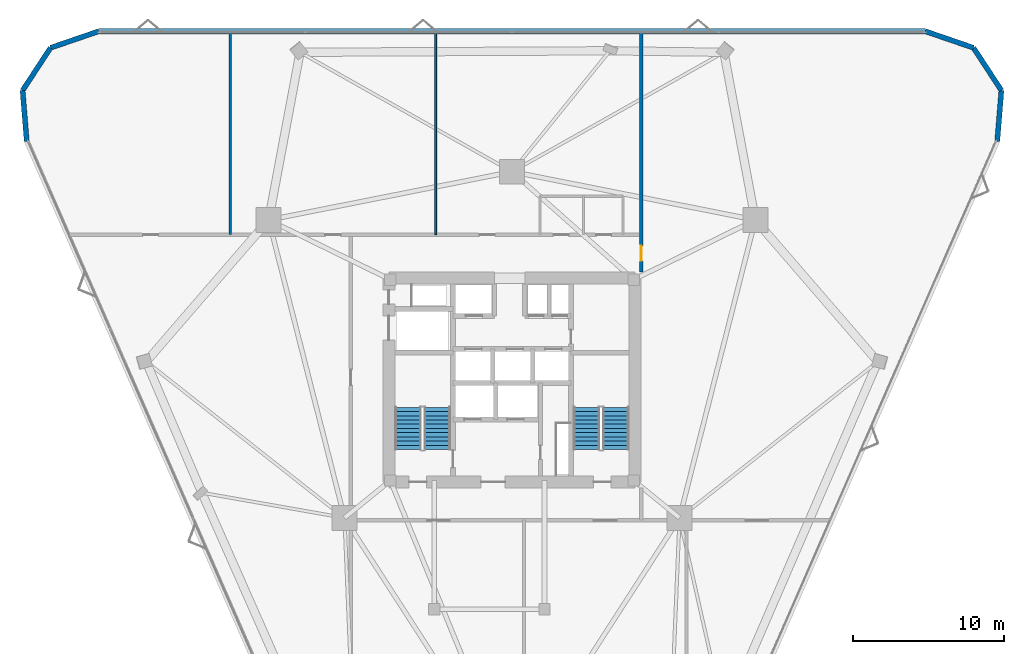
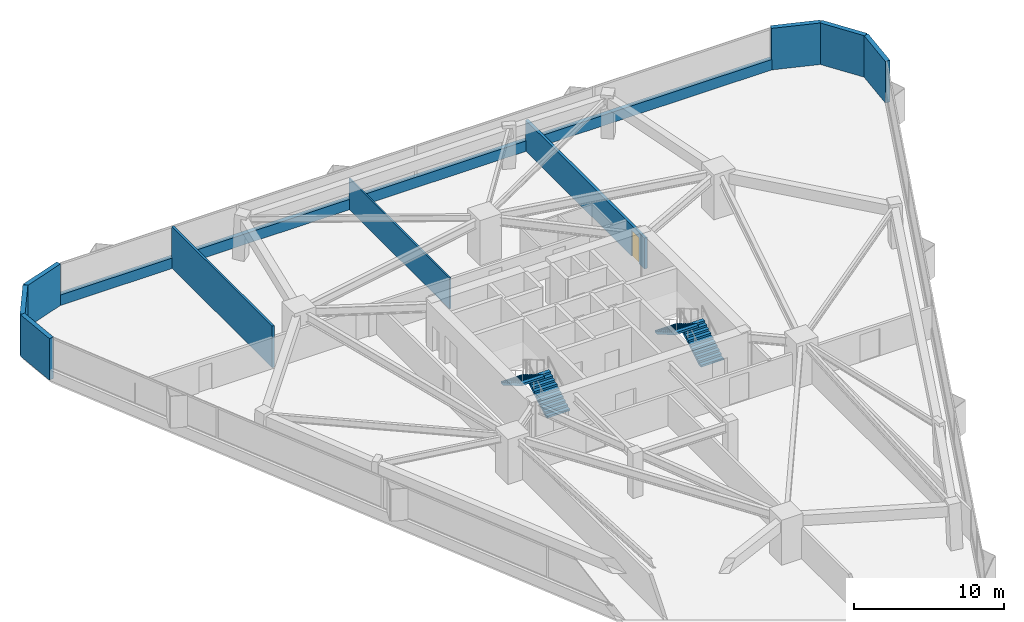
# One storey, part 19 of 20: 10 walls, 4 stair flights, 1 door, 1 opening, 2 elements without a shape of their own.
"""IFC4 building model written with IfcOpenShell, lengths in metres."""

from ifc_helpers import new_model, si_unit, direction, frame, frame_2d, origin, place, context, subcontext, project, spatial, polyline, rectangle, outline, extrude, material, layer, layer_set, type_object, element, fill, aggregate, save


model = new_model("IFC4")

# Units and contexts
model_context = context("Model", 3, precision=1e-05, world=origin(), true_north=direction((0.0, 1.0)))
body_context = subcontext(model_context, "Body", "Model", "MODEL_VIEW")
ifc_project = project(units=[si_unit("LENGTHUNIT", "METRE"), si_unit("AREAUNIT", "SQUARE_METRE"), si_unit("VOLUMEUNIT", "CUBIC_METRE"), si_unit("PLANEANGLEUNIT", "RADIAN"), si_unit("MASSUNIT", "GRAM", prefix="KILO")], contexts=[model_context])

# Site, building, storey
site_placement = place(None, origin())
site = spatial("IfcSite", under=ifc_project, at=site_placement, CompositionType="ELEMENT")
building_placement = place(site_placement, origin())
building = spatial("IfcBuilding", under=site, at=building_placement, Name="Talyreon Biosciences Tower", CompositionType="ELEMENT")
storey_placement = place(building_placement, frame((0.0, 0.0, 75.0)))
storey = spatial("IfcBuildingStorey", under=building, at=storey_placement, Name="L19", CompositionType="ELEMENT", Elevation=75.0)

# Wall, opening, door
ifc_material_1 = material(Name="Gypsum fireboard acoustic stud", Category="gypsum")
ifc_layer_1 = layer(ifc_material_1, 0.219970703125)
ifc_layer_set_1 = layer_set([ifc_layer_1], Name="Gypsum fireboard acoustic stud")
wall_type_1 = type_object("IfcWallType", Name="CorridorRatedPartition_220", PredefinedType="PARTITIONING", material=ifc_layer_set_1)
wall_1_placement = place(storey_placement, frame((74.550048828125, 75.14990234375, 0.0), z_axis=(0.0, 0.0, 1.0), x_axis=(0.0, 1.0, 0.0)))
wall_1 = element("IfcWall", 1, at=wall_1_placement, inside=storey, type_object=wall_type_1, Name="L19 Interior Wall IW-L19-ECAP-N", PredefinedType="PARTITIONING", context=body_context, shape_type="SweptSolid", body=[
    extrude(rectangle(XDim=15.852294921875, YDim=0.219970703125, at=frame_2d((7.92626953125, 0.0))), origin(), (0.0, 0.0, 1.0), 2.5048828125),
])
opening_placement = place(wall_1_placement, frame((0.735107421875, 0.0, 0.0)))
opening = element("IfcOpeningElement", 2, at=opening_placement, cuts=wall_1, Name="Opening DR-L19-E1A", PredefinedType="OPENING", context=body_context, shape_type="SweptSolid", body=[
    extrude(rectangle(XDim=1.0, YDim=2.10009765625, at=frame_2d((0.5, 1.050048828125))), frame((0.0, 0.119873046875, 0.0), z_axis=(0.0, -1.0, 0.0), x_axis=(1.0, 0.0, 0.0)), (0.0, 0.0, 1.0), 0.239990234375),
])
ifc_material_2 = material(Name="Acoustic oak veneer office door", Category="wood")
door_type = type_object("IfcDoorType", Name="WriteupOfficeDoor_1000x2100", OperationType="NOTDEFINED", PredefinedType="DOOR", material=ifc_material_2)
door_placement = place(opening_placement, origin())
door = element("IfcDoor", 3, at=door_placement, inside=storey, type_object=door_type, Name="L19 Interior Door DR-L19-E1A", OperationType="SINGLE_SWING_RIGHT", OverallHeight=2.10009765625, OverallWidth=1.0, PredefinedType="DOOR", context=body_context, shape_type="SweptSolid", body=[
    extrude(rectangle(XDim=1.0, YDim=2.10009765625, at=frame_2d((0.5, 1.050048828125))), frame((0.0, 0.02490234375, 0.0), z_axis=(0.0, -1.0, 0.0), x_axis=(1.0, 0.0, 0.0)), (0.0, 0.0, 1.0), 0.050048828125),
])
fill(opening, door)

# Walls
ifc_material_3 = material(Name="Gypsum acoustic stud partition", Category="gypsum")
ifc_layer_2 = layer(ifc_material_3, 0.159912109375)
ifc_layer_set_2 = layer_set([ifc_layer_2], Name="Gypsum acoustic stud partition")
wall_type_2 = type_object("IfcWallType", Name="LabSeparationPartition_160", PredefinedType="PARTITIONING", material=ifc_layer_set_2)
wall_2_placement = place(storey_placement, frame((47.35205078125, 77.6201171875, 0.0), z_axis=(0.0, 0.0, 1.0), x_axis=(0.0, 1.0, 0.0)))
element("IfcWall", 4, at=wall_2_placement, inside=storey, type_object=wall_type_2, Name="L19 Interior Wall IW-L19-NDIV1", PredefinedType="PARTITIONING", context=body_context, shape_type="SweptSolid", body=[
    extrude(rectangle(XDim=13.382080078125, YDim=0.159912109375, at=frame_2d((6.69091796875, 0.0))), origin(), (0.0, 0.0, 1.0), 3.375),
])
ifc_layer_3 = layer(ifc_material_3, 0.1298828125)
ifc_layer_set_3 = layer_set([ifc_layer_3], Name="Gypsum acoustic stud partition")
wall_type_3 = type_object("IfcWallType", Name="OfficeWriteupPartition_130", PredefinedType="PARTITIONING", material=ifc_layer_set_3)
wall_3_placement = place(storey_placement, frame((60.950927734375, 77.6201171875, 0.0), z_axis=(0.0, 0.0, 1.0), x_axis=(0.0, 1.0, 0.0)))
element("IfcWall", 5, at=wall_3_placement, inside=storey, type_object=wall_type_3, Name="L19 Interior Wall IW-L19-NDIV2", PredefinedType="PARTITIONING", context=body_context, shape_type="SweptSolid", body=[
    extrude(rectangle(XDim=13.382080078125, YDim=0.1298828125, at=frame_2d((6.69091796875, 0.0))), origin(), (0.0, 0.0, 1.0), 2.5048828125),
])
ifc_material_4 = material(Name="Precast concrete C45/55", Category="concrete")
ifc_layer_4 = layer(ifc_material_4, 0.340087890625)
ifc_layer_set_4 = layer_set([ifc_layer_4], Name="Precast concrete C45/55")
wall_type_4 = type_object("IfcWallType", Name="PrecastConcreteSpandrelWall_340", PredefinedType="STANDARD", material=ifc_layer_set_4)
wall_4_placement = place(storey_placement, frame((33.885986328125, 83.802734375, 0.0), z_axis=(0.0, 0.0, 1.0), x_axis=(-0.081806311552, 0.99664824657, 0.0)))
element("IfcWall", 6, at=wall_4_placement, inside=storey, type_object=wall_type_4, Name="L19 Rounded-Corner Concrete Pier 01", PredefinedType="STANDARD", context=body_context, shape_type="SweptSolid", body=[
    extrude(rectangle(XDim=3.375244140625, YDim=0.340087890625, at=frame_2d((1.6875, 0.0))), origin(), (0.0, 0.0, 1.0), 3.375),
])
wall_5_placement = place(storey_placement, frame((33.60986328125, 87.166748046875, 0.0), z_axis=(0.0, 0.0, 1.0), x_axis=(0.54736822803, 0.83689188247, 0.0)))
element("IfcWall", 7, at=wall_5_placement, inside=storey, type_object=wall_type_4, Name="L19 Rounded-Corner Concrete Pier 02", PredefinedType="STANDARD", context=body_context, shape_type="SweptSolid", body=[
    extrude(rectangle(XDim=3.37548828125, YDim=0.340087890625, at=frame_2d((1.687744140625, 0.0))), origin(), (0.0, 0.0, 1.0), 3.375),
])
wall_6_placement = place(storey_placement, frame((35.45751953125, 89.99169921875, 0.0), z_axis=(0.0, 0.0, 1.0), x_axis=(0.945861583966, 0.324570275868, 0.0)))
element("IfcWall", 8, at=wall_6_placement, inside=storey, type_object=wall_type_4, Name="L19 Rounded-Corner Concrete Pier 03", PredefinedType="STANDARD", context=body_context, shape_type="SweptSolid", body=[
    extrude(rectangle(XDim=3.375, YDim=0.340087890625, at=frame_2d((1.6875, 0.0))), origin(), (0.0, 0.0, 1.0), 3.375),
])
wall_7_placement = place(storey_placement, frame((38.64990234375, 91.087158203125, 0.0), z_axis=(0.0, 0.0, 1.0), x_axis=(1.0, 0.0, 0.0)))
element("IfcWall", 9, at=wall_7_placement, inside=storey, type_object=wall_type_4, Name="L19 Expressed Concrete Sill Wall 04", PredefinedType="STANDARD", context=body_context, shape_type="SweptSolid", body=[
    extrude(rectangle(XDim=54.7001953125, YDim=0.340087890625, at=frame_2d((27.35009765625, 0.0))), origin(), (0.0, 0.0, 1.0), 0.85009765625),
])
wall_8_placement = place(storey_placement, frame((93.35009765625, 91.087158203125, 0.0), z_axis=(0.0, 0.0, 1.0), x_axis=(0.945861583966, -0.324570275868, 0.0)))
element("IfcWall", 10, at=wall_8_placement, inside=storey, type_object=wall_type_4, Name="L19 Rounded-Corner Concrete Pier 05", PredefinedType="STANDARD", context=body_context, shape_type="SweptSolid", body=[
    extrude(rectangle(XDim=3.375, YDim=0.340087890625, at=frame_2d((1.6875, 0.0))), origin(), (0.0, 0.0, 1.0), 3.375),
])
wall_9_placement = place(storey_placement, frame((96.54248046875, 89.99169921875, 0.0), z_axis=(0.0, 0.0, 1.0), x_axis=(0.54736822803, -0.83689188247, 0.0)))
element("IfcWall", 11, at=wall_9_placement, inside=storey, type_object=wall_type_4, Name="L19 Rounded-Corner Concrete Pier 06", PredefinedType="STANDARD", context=body_context, shape_type="SweptSolid", body=[
    extrude(rectangle(XDim=3.37548828125, YDim=0.340087890625, at=frame_2d((1.687744140625, 0.0))), origin(), (0.0, 0.0, 1.0), 3.375),
])
wall_10_placement = place(storey_placement, frame((98.39013671875, 87.166748046875, 0.0), z_axis=(0.0, 0.0, 1.0), x_axis=(-0.081806311552, -0.99664824657, 0.0)))
element("IfcWall", 12, at=wall_10_placement, inside=storey, type_object=wall_type_4, Name="L19 Rounded-Corner Concrete Pier 07", PredefinedType="STANDARD", context=body_context, shape_type="SweptSolid", body=[
    extrude(rectangle(XDim=3.375244140625, YDim=0.340087890625, at=frame_2d((1.6875, 0.0))), origin(), (0.0, 0.0, 1.0), 3.375),
])

# Stair, stair flights
ifc_material_5 = material(Name="Concrete C40/50", Category="concrete")
stair_type = type_object("IfcStairType", Name="DoglegEscapeStair_3650", PredefinedType="HALF_TURN_STAIR", material=ifc_material_5)
stair_1_placement = place(storey_placement, origin())
stair_1 = element("IfcStair", 13, at=stair_1_placement, inside=storey, type_object=stair_type, Name="L19 Core Escape Stair 1", PredefinedType="HALF_TURN_STAIR")
stair_flight_type = type_object("IfcStairFlightType", Name="PrecastStairFlight_3650", PredefinedType="STRAIGHT", material=ifc_material_5)
stair_flight_1_placement = place(storey_placement, frame((61.06005859375, 63.39990234375, 0.0), z_axis=(0.0, 0.0, 1.0), x_axis=(0.0, 1.0, 0.0)))
stair_flight_1 = element("IfcStairFlight", 14, at=stair_flight_1_placement, type_object=stair_flight_type, Name="ST-1 flight 1", NumberOfRisers=11, NumberOfTreads=10, PredefinedType="STRAIGHT", RiserHeight=0.165909091, TreadLength=0.28, context=body_context, shape_type="SweptSolid", body=[
    extrude(outline(polyline([(0.0, 0.0), (0.0, 0.166015625), (0.280029296875, 0.166015625), (0.280029296875, 0.331787109375), (0.56005859375, 0.331787109375), (0.56005859375, 0.497802734375), (0.840087890625, 0.497802734375), (0.840087890625, 0.66357421875), (1.1201171875, 0.66357421875), (1.1201171875, 0.82958984375), (1.39990234375, 0.82958984375), (1.39990234375, 0.995361328125), (1.679931640625, 0.995361328125), (1.679931640625, 1.161376953125), (1.9599609375, 1.161376953125), (1.9599609375, 1.327392578125), (2.239990234375, 1.327392578125), (2.239990234375, 1.4931640625), (2.52001953125, 1.4931640625), (2.52001953125, 1.6591796875), (2.800048828125, 1.6591796875), (2.800048828125, 1.824951171875), (2.800048828125, 1.48486328125), (0.2939453125, 0.0), (0.0, 0.0)])), frame((0.0, 0.8701171875, 0.0), z_axis=(0.0, -1.0, 0.0), x_axis=(1.0, 0.0, 0.0)), (0.0, 0.0, 1.0), 1.739990234375),
])
stair_flight_2_placement = place(storey_placement, frame((59.1201171875, 66.199951171875, 1.824951171875), z_axis=(0.0, 0.0, 1.0), x_axis=(0.0, -1.0, 0.0)))
stair_flight_2 = element("IfcStairFlight", 15, at=stair_flight_2_placement, type_object=stair_flight_type, Name="ST-1 flight 2", NumberOfRisers=11, NumberOfTreads=10, PredefinedType="STRAIGHT", RiserHeight=0.165909091, TreadLength=0.28, context=body_context, shape_type="SweptSolid", body=[
    extrude(outline(polyline([(0.0, 0.0), (0.0, 0.166015625), (0.280029296875, 0.166015625), (0.280029296875, 0.331787109375), (0.56005859375, 0.331787109375), (0.56005859375, 0.497802734375), (0.840087890625, 0.497802734375), (0.840087890625, 0.66357421875), (1.1201171875, 0.66357421875), (1.1201171875, 0.82958984375), (1.39990234375, 0.82958984375), (1.39990234375, 0.995361328125), (1.679931640625, 0.995361328125), (1.679931640625, 1.161376953125), (1.9599609375, 1.161376953125), (1.9599609375, 1.327392578125), (2.239990234375, 1.327392578125), (2.239990234375, 1.4931640625), (2.52001953125, 1.4931640625), (2.52001953125, 1.6591796875), (2.800048828125, 1.6591796875), (2.800048828125, 1.824951171875), (2.800048828125, 1.48486328125), (0.2939453125, 0.0), (0.0, 0.0)])), frame((0.0, 0.8701171875, 0.0), z_axis=(0.0, -1.0, 0.0), x_axis=(1.0, 0.0, 0.0)), (0.0, 0.0, 1.0), 1.739990234375),
])
aggregate(stair_1, [stair_flight_1, stair_flight_2])

stair_2_placement = place(storey_placement, origin())
stair_2 = element("IfcStair", 16, at=stair_2_placement, inside=storey, type_object=stair_type, Name="L19 Core Escape Stair 2", PredefinedType="HALF_TURN_STAIR")
stair_flight_3_placement = place(storey_placement, frame((72.8798828125, 63.39990234375, 0.0), z_axis=(0.0, 0.0, 1.0), x_axis=(0.0, 1.0, 0.0)))
stair_flight_3 = element("IfcStairFlight", 17, at=stair_flight_3_placement, type_object=stair_flight_type, Name="ST-2 flight 1", NumberOfRisers=11, NumberOfTreads=10, PredefinedType="STRAIGHT", RiserHeight=0.165909091, TreadLength=0.28, context=body_context, shape_type="SweptSolid", body=[
    extrude(outline(polyline([(0.0, 0.0), (0.0, 0.166015625), (0.280029296875, 0.166015625), (0.280029296875, 0.331787109375), (0.56005859375, 0.331787109375), (0.56005859375, 0.497802734375), (0.840087890625, 0.497802734375), (0.840087890625, 0.66357421875), (1.1201171875, 0.66357421875), (1.1201171875, 0.82958984375), (1.39990234375, 0.82958984375), (1.39990234375, 0.995361328125), (1.679931640625, 0.995361328125), (1.679931640625, 1.161376953125), (1.9599609375, 1.161376953125), (1.9599609375, 1.327392578125), (2.239990234375, 1.327392578125), (2.239990234375, 1.4931640625), (2.52001953125, 1.4931640625), (2.52001953125, 1.6591796875), (2.800048828125, 1.6591796875), (2.800048828125, 1.824951171875), (2.800048828125, 1.48486328125), (0.2939453125, 0.0), (0.0, 0.0)])), frame((0.0, 0.8701171875, 0.0), z_axis=(0.0, -1.0, 0.0), x_axis=(1.0, 0.0, 0.0)), (0.0, 0.0, 1.0), 1.739990234375),
])
stair_flight_4_placement = place(storey_placement, frame((70.93994140625, 66.199951171875, 1.824951171875), z_axis=(0.0, 0.0, 1.0), x_axis=(0.0, -1.0, 0.0)))
stair_flight_4 = element("IfcStairFlight", 18, at=stair_flight_4_placement, type_object=stair_flight_type, Name="ST-2 flight 2", NumberOfRisers=11, NumberOfTreads=10, PredefinedType="STRAIGHT", RiserHeight=0.165909091, TreadLength=0.28, context=body_context, shape_type="SweptSolid", body=[
    extrude(outline(polyline([(0.0, 0.0), (0.0, 0.166015625), (0.280029296875, 0.166015625), (0.280029296875, 0.331787109375), (0.56005859375, 0.331787109375), (0.56005859375, 0.497802734375), (0.840087890625, 0.497802734375), (0.840087890625, 0.66357421875), (1.1201171875, 0.66357421875), (1.1201171875, 0.82958984375), (1.39990234375, 0.82958984375), (1.39990234375, 0.995361328125), (1.679931640625, 0.995361328125), (1.679931640625, 1.161376953125), (1.9599609375, 1.161376953125), (1.9599609375, 1.327392578125), (2.239990234375, 1.327392578125), (2.239990234375, 1.4931640625), (2.52001953125, 1.4931640625), (2.52001953125, 1.6591796875), (2.800048828125, 1.6591796875), (2.800048828125, 1.824951171875), (2.800048828125, 1.48486328125), (0.2939453125, 0.0), (0.0, 0.0)])), frame((0.0, 0.8701171875, 0.0), z_axis=(0.0, -1.0, 0.0), x_axis=(1.0, 0.0, 0.0)), (0.0, 0.0, 1.0), 1.739990234375),
])
aggregate(stair_2, [stair_flight_3, stair_flight_4])

save(model, "model.ifc")
